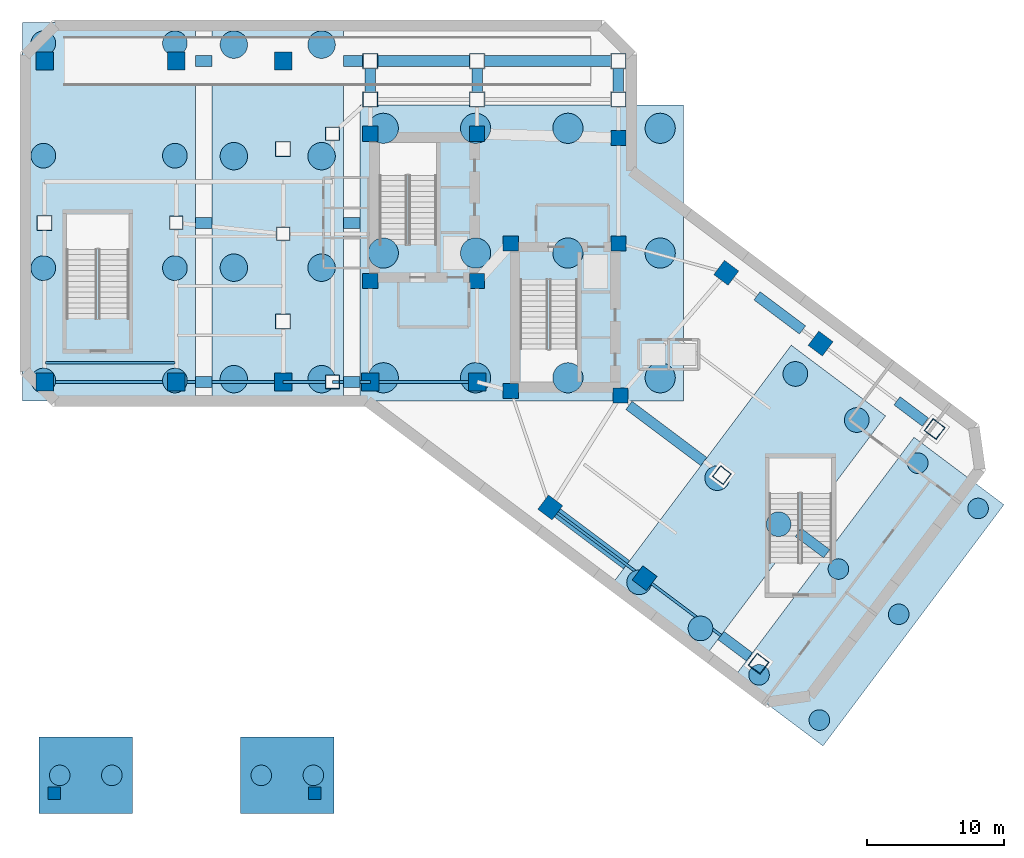
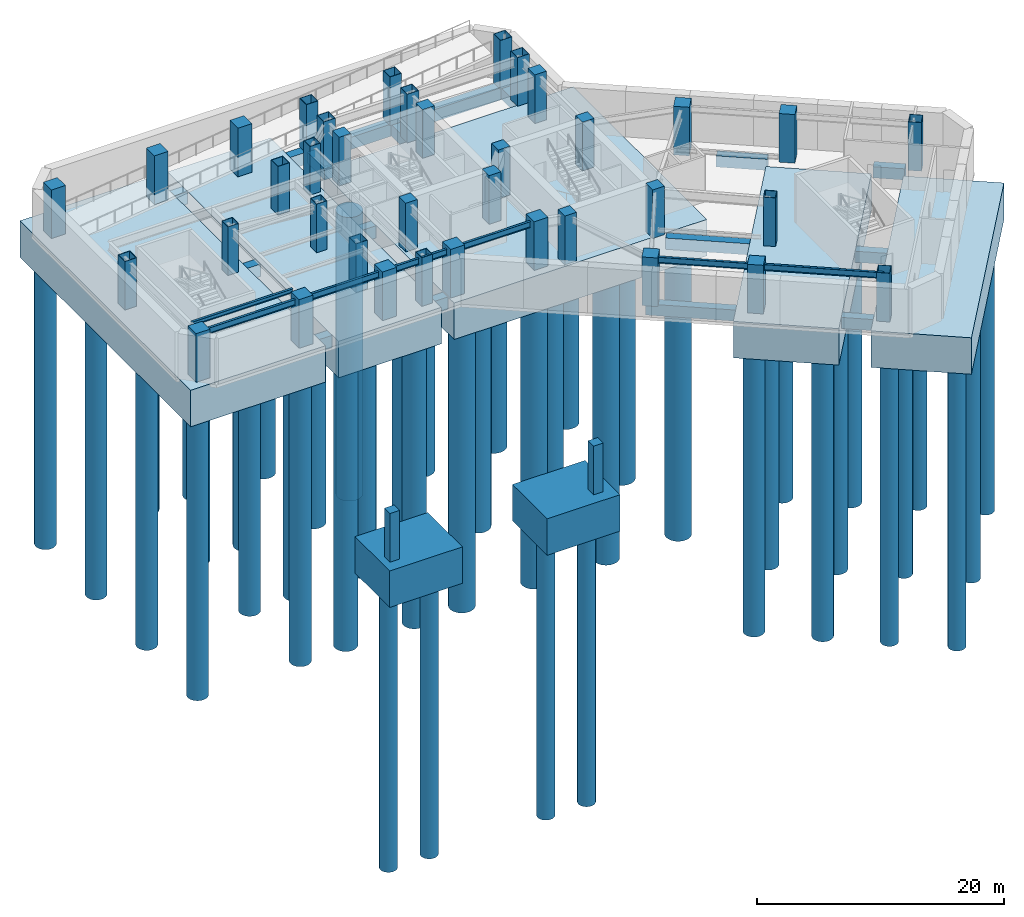
# One storey, part 1 of 9: 44 piles, 39 columns, 22 footings, 8 beams.
"""IFC4 building model written with IfcOpenShell, lengths in metres."""

from ifc_helpers import new_model, si_unit, direction, frame, origin, origin_2d, place, context, subcontext, project, spatial, rectangle, hollow_rectangle, circle, i_section, extrude, material, material_profile, profile_set, type_object, element, save


model = new_model("IFC4")

# Units and contexts
model_context = context("Model", 3, precision=1e-05, world=origin(), true_north=direction((0.0, 1.0)))
body_context = subcontext(model_context, "Body", "Model", "MODEL_VIEW")
ifc_project = project(units=[si_unit("LENGTHUNIT", "METRE"), si_unit("AREAUNIT", "SQUARE_METRE"), si_unit("VOLUMEUNIT", "CUBIC_METRE"), si_unit("PLANEANGLEUNIT", "RADIAN"), si_unit("MASSUNIT", "GRAM", prefix="KILO")], contexts=[model_context])

# Site, building, storey
site_placement = place(None, origin())
site = spatial("IfcSite", under=ifc_project, at=site_placement, CompositionType="ELEMENT")
building_placement = place(site_placement, origin())
building = spatial("IfcBuilding", under=site, at=building_placement, Name="Hatsunagi Terrace Concourse", CompositionType="ELEMENT")
storey_placement = place(building_placement, frame((0.0, 0.0, -9.60009765625)))
storey = spatial("IfcBuildingStorey", under=building, at=storey_placement, Name="B02", CompositionType="ELEMENT", Elevation=-9.60009765625)

# Piles
ifc_material_1 = material(Name="Concrete Fc48", Category="concrete")
ifc_material_profile_1 = material_profile(ifc_material_1, circle(Radius=0.75, at=origin_2d()), Name="PILE-1500")
ifc_profile_set_1 = profile_set([ifc_material_profile_1], Name="Concrete Fc48")
pile_type_1 = type_object("IfcPileType", Name="BoredPile_Fc48_1500", PredefinedType="BORED", material=ifc_profile_set_1)
for number, where, z_axis, x_axis, name in (
    (1, (53.909912109375, 3.830078125, -3.449951171875), (0.0, 0.0, -1.0), (1.0, 0.0, 0.0), "Bored Pile P-1500 #035"),
    (2, (59.699951171875, 11.550048828125, -3.449951171875), (0.0, 0.0, -1.0), (1.0, 0.0, 0.0), "Bored Pile P-1500 #036"),
    (3, (65.489990234375, 19.27001953125, -3.449951171875), (0.0, 0.0, -1.0), (1.0, 0.0, 0.0), "Bored Pile P-1500 #037"),
    (4, (58.31005859375, 0.530029296875, -3.449951171875), (0.0, 0.0, -1.0), (1.0, 0.0, 0.0), "Bored Pile P-1500 #038"),
    (5, (64.10009765625, 8.25, -3.449951171875), (0.0, 0.0, -1.0), (1.0, 0.0, 0.0), "Bored Pile P-1500 #039"),
    (6, (69.889892578125, 15.969970703125, -3.449951171875), (0.0, 0.0, -1.0), (1.0, 0.0, 0.0), "Bored Pile P-1500 #040"),
    (7, (2.89990234375, -3.5, -3.449951171875), (0.0, 0.0, -1.0), (1.0, 0.0, 0.0), "Bored Pile P-1500 #041"),
    (8, (6.699951171875, -3.5, -3.449951171875), (0.0, 0.0, -1.0), (1.0, 0.0, 0.0), "Bored Pile P-1500 #042"),
    (9, (17.60009765625, -3.5, -3.449951171875), (0.0, 0.0, -1.0), (1.0, 0.0, 0.0), "Bored Pile P-1500 #043"),
    (10, (21.39990234375, -3.5, -3.449951171875), (0.0, 0.0, -1.0), (1.0, 0.0, 0.0), "Bored Pile P-1500 #044"),
):
    element("IfcPile", number, at=place(storey_placement, frame(where, z_axis=z_axis, x_axis=x_axis)), inside=storey, type_object=pile_type_1, Name=name, PredefinedType="BORED", context=body_context, shape_type="SweptSolid", body=[
        extrude(circle(Radius=0.75, at=origin_2d()), origin(), (0.0, 0.0, 1.0), 28.0),
    ])
ifc_material_2 = material(Name="Concrete Fc48", Category="concrete")
ifc_material_profile_2 = material_profile(ifc_material_2, circle(Radius=0.89990234375, at=origin_2d()), Name="PILE-1800")
ifc_profile_set_2 = profile_set([ifc_material_profile_2], Name="Concrete Fc48")
pile_type_2 = type_object("IfcPileType", Name="BoredPile_Fc48_1800", PredefinedType="BORED", material=ifc_profile_set_2)
for number, where, z_axis, x_axis, name in (
    (11, (1.699951171875, 25.300048828125, -3.449951171875), (0.0, 0.0, -1.0), (1.0, 0.0, 0.0), "Bored Pile P-1800 #013"),
    (12, (1.699951171875, 33.5, -3.449951171875), (0.0, 0.0, -1.0), (1.0, 0.0, 0.0), "Bored Pile P-1800 #014"),
    (13, (1.699951171875, 41.699951171875, -3.449951171875), (0.0, 0.0, -1.0), (1.0, 0.0, 0.0), "Bored Pile P-1800 #015"),
    (14, (1.699951171875, 49.89990234375, -3.449951171875), (0.0, 0.0, -1.0), (1.0, 0.0, 0.0), "Bored Pile P-1800 #016"),
    (15, (11.300048828125, 25.300048828125, -3.449951171875), (0.0, 0.0, -1.0), (1.0, 0.0, 0.0), "Bored Pile P-1800 #017"),
    (16, (11.300048828125, 33.5, -3.449951171875), (0.0, 0.0, -1.0), (1.0, 0.0, 0.0), "Bored Pile P-1800 #018"),
    (17, (11.300048828125, 41.699951171875, -3.449951171875), (0.0, 0.0, -1.0), (1.0, 0.0, 0.0), "Bored Pile P-1800 #019"),
    (18, (11.300048828125, 49.89990234375, -3.449951171875), (0.0, 0.0, -1.0), (1.0, 0.0, 0.0), "Bored Pile P-1800 #020"),
    (19, (45.159912109375, 10.580078125, -3.449951171875), (0.0, 0.0, -1.0), (1.0, 0.0, 0.0), "Bored Pile P-1800 #029"),
    (20, (50.860107421875, 18.179931640625, -3.449951171875), (0.0, 0.0, -1.0), (1.0, 0.0, 0.0), "Bored Pile P-1800 #030"),
    (21, (56.56005859375, 25.780029296875, -3.449951171875), (0.0, 0.0, -1.0), (1.0, 0.0, 0.0), "Bored Pile P-1800 #031"),
    (22, (49.639892578125, 7.219970703125, -3.449951171875), (0.0, 0.0, -1.0), (1.0, 0.0, 0.0), "Bored Pile P-1800 #032"),
    (23, (55.340087890625, 14.820068359375, -3.449951171875), (0.0, 0.0, -1.0), (1.0, 0.0, 0.0), "Bored Pile P-1800 #033"),
    (24, (61.0400390625, 22.419921875, -3.449951171875), (0.0, 0.0, -1.0), (1.0, 0.0, 0.0), "Bored Pile P-1800 #034"),
):
    element("IfcPile", number, at=place(storey_placement, frame(where, z_axis=z_axis, x_axis=x_axis)), inside=storey, type_object=pile_type_2, Name=name, PredefinedType="BORED", context=body_context, shape_type="SweptSolid", body=[
        extrude(circle(Radius=0.89990234375, at=origin_2d()), origin(), (0.0, 0.0, 1.0), 28.0),
    ])
ifc_material_3 = material(Name="Concrete Fc48", Category="concrete")
ifc_material_profile_3 = material_profile(ifc_material_3, circle(Radius=1.0, at=origin_2d()), Name="PILE-2000")
ifc_profile_set_3 = profile_set([ifc_material_profile_3], Name="Concrete Fc48")
pile_type_3 = type_object("IfcPileType", Name="BoredPile_Fc48_2000", PredefinedType="BORED", material=ifc_profile_set_3)
for number, where, z_axis, x_axis, name in (
    (25, (15.60009765625, 25.39990234375, -3.449951171875), (0.0, 0.0, -1.0), (1.0, 0.0, 0.0), "Bored Pile P-2000 #021"),
    (26, (15.60009765625, 33.532958984375, -3.449951171875), (0.0, 0.0, -1.0), (1.0, 0.0, 0.0), "Bored Pile P-2000 #022"),
    (27, (15.60009765625, 41.6669921875, -3.449951171875), (0.0, 0.0, -1.0), (1.0, 0.0, 0.0), "Bored Pile P-2000 #023"),
    (28, (15.60009765625, 49.800048828125, -3.449951171875), (0.0, 0.0, -1.0), (1.0, 0.0, 0.0), "Bored Pile P-2000 #024"),
    (29, (22.0, 25.39990234375, -3.449951171875), (0.0, 0.0, -1.0), (1.0, 0.0, 0.0), "Bored Pile P-2000 #025"),
    (30, (22.0, 33.532958984375, -3.449951171875), (0.0, 0.0, -1.0), (1.0, 0.0, 0.0), "Bored Pile P-2000 #026"),
    (31, (22.0, 41.6669921875, -3.449951171875), (0.0, 0.0, -1.0), (1.0, 0.0, 0.0), "Bored Pile P-2000 #027"),
    (32, (22.0, 49.800048828125, -3.449951171875), (0.0, 0.0, -1.0), (1.0, 0.0, 0.0), "Bored Pile P-2000 #028"),
):
    element("IfcPile", number, at=place(storey_placement, frame(where, z_axis=z_axis, x_axis=x_axis)), inside=storey, type_object=pile_type_3, Name=name, PredefinedType="BORED", context=body_context, shape_type="SweptSolid", body=[
        extrude(circle(Radius=1.0, at=origin_2d()), origin(), (0.0, 0.0, 1.0), 28.0),
    ])
ifc_material_4 = material(Name="Concrete Fc48", Category="concrete")
ifc_material_profile_4 = material_profile(ifc_material_4, circle(Radius=1.10009765625, at=origin_2d()), Name="PILE-2200")
ifc_profile_set_4 = profile_set([ifc_material_profile_4], Name="Concrete Fc48")
pile_type_4 = type_object("IfcPileType", Name="BoredPile_Fc48_2200", PredefinedType="BORED", material=ifc_profile_set_4)
for number, where, z_axis, x_axis, name in (
    (33, (26.5, 25.5, -3.449951171875), (0.0, 0.0, -1.0), (1.0, 0.0, 0.0), "Bored Pile P-2200 #001"),
    (34, (26.5, 34.60009765625, -3.449951171875), (0.0, 0.0, -1.0), (1.0, 0.0, 0.0), "Bored Pile P-2200 #002"),
    (35, (26.5, 43.699951171875, -3.449951171875), (0.0, 0.0, -1.0), (1.0, 0.0, 0.0), "Bored Pile P-2200 #003"),
    (36, (33.23291015625, 25.5, -3.449951171875), (0.0, 0.0, -1.0), (1.0, 0.0, 0.0), "Bored Pile P-2200 #004"),
    (37, (33.23291015625, 34.60009765625, -3.449951171875), (0.0, 0.0, -1.0), (1.0, 0.0, 0.0), "Bored Pile P-2200 #005"),
    (38, (33.23291015625, 43.699951171875, -3.449951171875), (0.0, 0.0, -1.0), (1.0, 0.0, 0.0), "Bored Pile P-2200 #006"),
    (39, (39.967041015625, 25.5, -3.449951171875), (0.0, 0.0, -1.0), (1.0, 0.0, 0.0), "Bored Pile P-2200 #007"),
    (40, (39.967041015625, 34.60009765625, -3.449951171875), (0.0, 0.0, -1.0), (1.0, 0.0, 0.0), "Bored Pile P-2200 #008"),
    (41, (39.967041015625, 43.699951171875, -3.449951171875), (0.0, 0.0, -1.0), (1.0, 0.0, 0.0), "Bored Pile P-2200 #009"),
    (42, (46.699951171875, 25.5, -3.449951171875), (0.0, 0.0, -1.0), (1.0, 0.0, 0.0), "Bored Pile P-2200 #010"),
    (43, (46.699951171875, 34.60009765625, -3.449951171875), (0.0, 0.0, -1.0), (1.0, 0.0, 0.0), "Bored Pile P-2200 #011"),
    (44, (46.699951171875, 43.699951171875, -3.449951171875), (0.0, 0.0, -1.0), (1.0, 0.0, 0.0), "Bored Pile P-2200 #012"),
):
    element("IfcPile", number, at=place(storey_placement, frame(where, z_axis=z_axis, x_axis=x_axis)), inside=storey, type_object=pile_type_4, Name=name, PredefinedType="BORED", context=body_context, shape_type="SweptSolid", body=[
        extrude(circle(Radius=1.10009765625, at=origin_2d()), origin(), (0.0, 0.0, 1.0), 28.0),
    ])

# Footings
ifc_material_5 = material(Name="Concrete Fc48", Category="concrete")
ifc_material_profile_5 = material_profile(ifc_material_5, rectangle(XDim=0.75, YDim=1.10009765625, at=origin_2d()), Name="RC-750x1100")
ifc_profile_set_5 = profile_set([ifc_material_profile_5], Name="Concrete Fc48")
footing_type_1 = type_object("IfcFootingType", Name="GroundTieBeam_Fc48_750x1100", PredefinedType="FOOTING_BEAM", material=ifc_profile_set_5)
for number, where, z_axis, x_axis, name in (
    (45, (25.550048828125, 45.405029296875, -0.5498046875), (0.0, 1.0, 0.0), (-1.0, 0.0, 0.0), "Ground Tie Beam GB-N2"),
    (46, (33.35009765625, 45.405029296875, -0.5498046875), (0.0, 1.0, 0.0), (-1.0, 0.0, 0.0), "Ground Tie Beam GB-N3"),
    (47, (43.64990234375, 45.405029296875, -0.5498046875), (0.0, 1.0, 0.0), (-1.0, 0.0, 0.0), "Ground Tie Beam GB-N4"),
):
    element("IfcFooting", number, at=place(storey_placement, frame(where, z_axis=z_axis, x_axis=x_axis)), inside=storey, type_object=footing_type_1, Name=name, PredefinedType="FOOTING_BEAM", context=body_context, shape_type="SweptSolid", body=[
        extrude(rectangle(XDim=0.75, YDim=1.10009765625, at=origin_2d()), origin(), (0.0, 0.0, 1.0), 2.7900390625),
    ])
footing_1_placement = place(storey_placement, frame((38.360107421875, 16.280029296875, -0.5498046875), z_axis=(0.799984066425, -0.600021244179, 0.0), x_axis=(0.600021244179, 0.799984066425, 0.0)))
element("IfcFooting", 48, at=footing_1_placement, inside=storey, type_object=footing_type_1, Name="Ground Tie Beam GB-SE1-1", PredefinedType="FOOTING_BEAM", context=body_context, shape_type="SweptSolid", body=[
    extrude(rectangle(XDim=0.75, YDim=1.10009765625, at=origin_2d()), origin(), (0.0, 0.0, 1.0), 7.35498046875),
])
footing_2_placement = place(storey_placement, frame((51.132080078125, 6.700927734375, -0.5498046875), z_axis=(0.800011311435, -0.59998491779, 0.0), x_axis=(0.59998491779, 0.800011311435, 0.0)))
element("IfcFooting", 49, at=footing_2_placement, inside=storey, type_object=footing_type_1, Name="Ground Tie Beam GB-SE2-1", PredefinedType="FOOTING_BEAM", context=body_context, shape_type="SweptSolid", body=[
    extrude(rectangle(XDim=0.75, YDim=1.10009765625, at=origin_2d()), origin(), (0.0, 0.0, 1.0), 2.590087890625),
])
footing_3_placement = place(storey_placement, frame((44.419921875, 23.485107421875, -0.5498046875), z_axis=(0.79999571065, -0.600005719091, 0.0), x_axis=(0.600005719091, 0.79999571065, 0.0)))
element("IfcFooting", 50, at=footing_3_placement, inside=storey, type_object=footing_type_1, Name="Ground Tie Beam GB-SE1-2", PredefinedType="FOOTING_BEAM", context=body_context, shape_type="SweptSolid", body=[
    extrude(rectangle(XDim=0.75, YDim=1.10009765625, at=origin_2d()), origin(), (0.0, 0.0, 1.0), 6.830078125),
])
footing_4_placement = place(storey_placement, frame((56.77197265625, 14.220947265625, -0.5498046875), z_axis=(0.800011311435, -0.59998491779, 0.0), x_axis=(0.59998491779, 0.800011311435, 0.0)))
element("IfcFooting", 51, at=footing_4_placement, inside=storey, type_object=footing_type_1, Name="Ground Tie Beam GB-SE2-2", PredefinedType="FOOTING_BEAM", context=body_context, shape_type="SweptSolid", body=[
    extrude(rectangle(XDim=0.75, YDim=1.10009765625, at=origin_2d()), origin(), (0.0, 0.0, 1.0), 2.590087890625),
])
footing_5_placement = place(storey_placement, frame((53.760009765625, 31.47998046875, -0.5498046875), z_axis=(0.800007051054, -0.59999059848, 0.0), x_axis=(0.59999059848, 0.800007051054, 0.0)))
element("IfcFooting", 52, at=footing_5_placement, inside=storey, type_object=footing_type_1, Name="Ground Tie Beam GB-SE1-3", PredefinedType="FOOTING_BEAM", context=body_context, shape_type="SweptSolid", body=[
    extrude(rectangle(XDim=0.75, YDim=1.10009765625, at=origin_2d()), origin(), (0.0, 0.0, 1.0), 4.155029296875),
])
footing_6_placement = place(storey_placement, frame((63.971923828125, 23.821044921875, -0.5498046875), z_axis=(0.800011311435, -0.59998491779, 0.0), x_axis=(0.59998491779, 0.800011311435, 0.0)))
element("IfcFooting", 53, at=footing_6_placement, inside=storey, type_object=footing_type_1, Name="Ground Tie Beam GB-SE2-3", PredefinedType="FOOTING_BEAM", context=body_context, shape_type="SweptSolid", body=[
    extrude(rectangle(XDim=0.75, YDim=1.10009765625, at=origin_2d()), origin(), (0.0, 0.0, 1.0), 2.590087890625),
])
ifc_material_6 = material(Name="Concrete Fc48", Category="concrete")
ifc_material_profile_6 = material_profile(ifc_material_6, rectangle(XDim=0.800048828125, YDim=1.199951171875, at=origin_2d()), Name="RC-800x1200")
ifc_profile_set_6 = profile_set([ifc_material_profile_6], Name="Concrete Fc48")
footing_type_2 = type_object("IfcFootingType", Name="GroundTieBeam_Fc48_800x1200", PredefinedType="FOOTING_BEAM", material=ifc_profile_set_6)
for number, where, z_axis, x_axis, name in (
    (54, (12.804931640625, 25.199951171875, -0.599853515625), (1.0, 0.0, 0.0), (0.0, 1.0, 0.0), "Ground Tie Beam GB-W1"),
    (55, (12.804931640625, 36.800048828125, -0.599853515625), (1.0, 0.0, 0.0), (0.0, 1.0, 0.0), "Ground Tie Beam GB-W2"),
    (56, (12.804931640625, 48.60009765625, -0.599853515625), (1.0, 0.0, 0.0), (0.0, 1.0, 0.0), "Ground Tie Beam GB-W3"),
):
    element("IfcFooting", number, at=place(storey_placement, frame(where, z_axis=z_axis, x_axis=x_axis)), inside=storey, type_object=footing_type_2, Name=name, PredefinedType="FOOTING_BEAM", context=body_context, shape_type="SweptSolid", body=[
        extrude(rectangle(XDim=0.800048828125, YDim=1.199951171875, at=origin_2d()), origin(), (0.0, 0.0, 1.0), 1.190185546875),
    ])
for number, where, z_axis, x_axis, name in (
    (57, (23.60498046875, 25.199951171875, -0.599853515625), (1.0, 0.0, 0.0), (0.0, 1.0, 0.0), "Ground Tie Beam GB-W4"),
    (58, (23.60498046875, 36.800048828125, -0.599853515625), (1.0, 0.0, 0.0), (0.0, 1.0, 0.0), "Ground Tie Beam GB-W5"),
):
    element("IfcFooting", number, at=place(storey_placement, frame(where, z_axis=z_axis, x_axis=x_axis)), inside=storey, type_object=footing_type_2, Name=name, PredefinedType="FOOTING_BEAM", context=body_context, shape_type="SweptSolid", body=[
        extrude(rectangle(XDim=0.800048828125, YDim=1.199951171875, at=origin_2d()), origin(), (0.0, 0.0, 1.0), 1.18994140625),
    ])
footing_7_placement = place(storey_placement, frame((23.60498046875, 48.60009765625, -0.599853515625), z_axis=(1.0, 0.0, 0.0), x_axis=(0.0, 1.0, 0.0)))
element("IfcFooting", 59, at=footing_7_placement, inside=storey, type_object=footing_type_2, Name="Ground Tie Beam GB-N1", PredefinedType="FOOTING_BEAM", context=body_context, shape_type="SweptSolid", body=[
    extrude(rectangle(XDim=0.800048828125, YDim=1.199951171875, at=origin_2d()), origin(), (0.0, 0.0, 1.0), 20.425048828125),
])
ifc_material_7 = material(Name="Concrete Fc48", Category="concrete")
footing_type_3 = type_object("IfcFootingType", Name="PiledRaft_CoreAB_PC01", PredefinedType="PILE_CAP", material=ifc_material_7)
footing_8_placement = place(storey_placement, frame((36.60009765625, 34.60009765625, -3.599853515625), z_axis=(0.0, 0.0, 1.0), x_axis=(1.0, 0.0, 0.0)))
element("IfcFooting", 60, at=footing_8_placement, inside=storey, type_object=footing_type_3, Name="Central Split-Core Piled Raft Mat PC-01", PredefinedType="PILE_CAP", context=body_context, shape_type="SweptSolid", body=[
    extrude(rectangle(XDim=23.60009765625, YDim=21.60009765625, at=origin_2d()), origin(), (0.0, 0.0, 1.0), 3.60009765625),
])
ifc_material_8 = material(Name="Concrete Fc48", Category="concrete")
footing_type_4 = type_object("IfcFootingType", Name="PiledRaft_Plaza_PC06", PredefinedType="PILE_CAP", material=ifc_material_8)
for number, where, z_axis, x_axis, name in (
    (61, (4.800048828125, -3.5, -3.599853515625), (0.0, 0.0, 1.0), (1.0, 0.0, 0.0), "Forecourt Plaza SW Foundation Cap PC-06"),
    (62, (19.5, -3.5, -3.599853515625), (0.0, 0.0, 1.0), (1.0, 0.0, 0.0), "Forecourt Plaza SE Foundation Cap PC-06"),
):
    element("IfcFooting", number, at=place(storey_placement, frame(where, z_axis=z_axis, x_axis=x_axis)), inside=storey, type_object=footing_type_4, Name=name, PredefinedType="PILE_CAP", context=body_context, shape_type="SweptSolid", body=[
        extrude(rectangle(XDim=6.800048828125, YDim=5.60009765625, at=origin_2d()), origin(), (0.0, 0.0, 1.0), 3.60009765625),
    ])
ifc_material_9 = material(Name="Concrete Fc48", Category="concrete")
footing_type_5 = type_object("IfcFootingType", Name="PiledRaft_SEMid_PC04", PredefinedType="PILE_CAP", material=ifc_material_9)
footing_9_placement = place(storey_placement, frame((53.10009765625, 16.5, -3.599853515625), z_axis=(0.0, 0.0, 1.0), x_axis=(0.799999996291, -0.600000004945, 0.0)))
element("IfcFooting", 63, at=footing_9_placement, inside=storey, type_object=footing_type_5, Name="Southeast Wing Mid Piled Raft Cap PC-04", PredefinedType="PILE_CAP", context=body_context, shape_type="SweptSolid", body=[
    extrude(rectangle(XDim=8.60009765625, YDim=22.0, at=origin_2d()), origin(), (0.0, 0.0, 1.0), 3.60009765625),
])
ifc_material_10 = material(Name="Concrete Fc48", Category="concrete")
footing_type_6 = type_object("IfcFootingType", Name="PiledRaft_SEOuter_PC05", PredefinedType="PILE_CAP", material=ifc_material_10)
footing_10_placement = place(storey_placement, frame((61.89990234375, 9.89990234375, -3.599853515625), z_axis=(0.0, 0.0, 1.0), x_axis=(0.799999996291, -0.600000004945, 0.0)))
element("IfcFooting", 64, at=footing_10_placement, inside=storey, type_object=footing_type_6, Name="Southeast Wing Outer Piled Raft Cap PC-05", PredefinedType="PILE_CAP", context=body_context, shape_type="SweptSolid", body=[
    extrude(rectangle(XDim=8.199951171875, YDim=22.0, at=origin_2d()), origin(), (0.0, 0.0, 1.0), 3.60009765625),
])
ifc_material_11 = material(Name="Concrete Fc48", Category="concrete")
footing_type_7 = type_object("IfcFootingType", Name="PiledRaft_WestMid_PC03", PredefinedType="PILE_CAP", material=ifc_material_11)
footing_11_placement = place(storey_placement, frame((18.800048828125, 37.60009765625, -3.599853515625), z_axis=(0.0, 0.0, 1.0), x_axis=(1.0, 0.0, 0.0)))
element("IfcFooting", 65, at=footing_11_placement, inside=storey, type_object=footing_type_7, Name="West Wing Mid Piled Raft Cap PC-03", PredefinedType="PILE_CAP", context=body_context, shape_type="SweptSolid", body=[
    extrude(rectangle(XDim=9.60009765625, YDim=27.60009765625, at=origin_2d()), origin(), (0.0, 0.0, 1.0), 3.60009765625),
])
ifc_material_12 = material(Name="Concrete Fc48", Category="concrete")
footing_type_8 = type_object("IfcFootingType", Name="PiledRaft_WestOuter_PC02", PredefinedType="PILE_CAP", material=ifc_material_12)
footing_12_placement = place(storey_placement, frame((6.5, 37.60009765625, -3.599853515625), z_axis=(0.0, 0.0, 1.0), x_axis=(1.0, 0.0, 0.0)))
element("IfcFooting", 66, at=footing_12_placement, inside=storey, type_object=footing_type_8, Name="West Wing Outer Piled Raft Cap PC-02", PredefinedType="PILE_CAP", context=body_context, shape_type="SweptSolid", body=[
    extrude(rectangle(XDim=12.60009765625, YDim=27.60009765625, at=origin_2d()), origin(), (0.0, 0.0, 1.0), 3.60009765625),
])

# Columns
ifc_material_13 = material(Name="Concrete Fc60", Category="concrete")
ifc_material_profile_7 = material_profile(ifc_material_13, rectangle(XDim=1.10009765625, YDim=1.10009765625, at=origin_2d()), Name="RC-1100x1100")
ifc_profile_set_7 = profile_set([ifc_material_profile_7], Name="Concrete Fc60")
column_type_1 = type_object("IfcColumnType", Name="CoreColumn_RC_1100x1100", PredefinedType="COLUMN", material=ifc_profile_set_7)
for number, where, z_axis, x_axis, name in (
    (67, (25.550048828125, 32.550048828125, 0.0), (0.0, 0.0, 1.0), (1.0, 0.0, 0.0), "Column C-01 B02-CASW"),
    (68, (33.35009765625, 32.550048828125, 0.0), (0.0, 0.0, 1.0), (1.0, 0.0, 0.0), "Column C-01 B02-CASE"),
    (69, (25.550048828125, 43.300048828125, 0.0), (0.0, 0.0, 1.0), (1.0, 0.0, 0.0), "Column C-01 B02-CANW"),
    (70, (33.35009765625, 43.300048828125, 0.0), (0.0, 0.0, 1.0), (1.0, 0.0, 0.0), "Column C-01 B02-CANE"),
    (71, (35.800048828125, 24.550048828125, 0.0), (0.0, 0.0, 1.0), (1.0, 0.0, 0.0), "Column C-01 B02-CBSW"),
    (72, (43.800048828125, 24.199951171875, 0.0), (0.0, 0.0, 1.0), (1.0, 0.0, 0.0), "Column C-01 B02-CBSE"),
    (73, (35.800048828125, 35.300048828125, 0.0), (0.0, 0.0, 1.0), (1.0, 0.0, 0.0), "Column C-01 B02-CBNW"),
    (74, (43.64990234375, 35.300048828125, 0.0), (0.0, 0.0, 1.0), (1.0, 0.0, 0.0), "Column C-01 B02-CBNE"),
    (75, (43.64990234375, 43.0, 0.0), (0.0, 0.0, 1.0), (1.0, 0.0, 0.0), "Column C-01 B02-K3"),
):
    element("IfcColumn", number, at=place(storey_placement, frame(where, z_axis=z_axis, x_axis=x_axis)), inside=storey, type_object=column_type_1, Name=name, PredefinedType="COLUMN", context=body_context, shape_type="SweptSolid", body=[
        extrude(rectangle(XDim=1.10009765625, YDim=1.10009765625, at=origin_2d()), origin(), (0.0, 0.0, 1.0), 4.800048828125),
    ])
ifc_material_14 = material(Name="Concrete Fc48", Category="concrete")
ifc_material_profile_8 = material_profile(ifc_material_14, rectangle(XDim=0.89990234375, YDim=0.89990234375, at=origin_2d()), Name="RC-900x900")
ifc_profile_set_8 = profile_set([ifc_material_profile_8], Name="Concrete Fc48")
column_type_2 = type_object("IfcColumnType", Name="CoreColumn_RC_900x900", PredefinedType="COLUMN", material=ifc_profile_set_8)
for number, where, z_axis, x_axis, name in (
    (76, (2.5, -4.800048828125, 0.0), (0.0, 0.0, 1.0), (1.0, 0.0, 0.0), "Forecourt Plaza Support Column C-02 B02-1"),
    (77, (21.5, -4.800048828125, 0.0), (0.0, 0.0, 1.0), (1.0, 0.0, 0.0), "Forecourt Plaza Support Column C-02 B02-2"),
):
    element("IfcColumn", number, at=place(storey_placement, frame(where, z_axis=z_axis, x_axis=x_axis)), inside=storey, type_object=column_type_2, Name=name, PredefinedType="COLUMN", context=body_context, shape_type="SweptSolid", body=[
        extrude(rectangle(XDim=0.89990234375, YDim=0.89990234375, at=origin_2d()), origin(), (0.0, 0.0, 1.0), 4.800048828125),
    ])
ifc_material_15 = material(Name="Steel BCP325T", Category="steel")
ifc_material_profile_9 = material_profile(ifc_material_15, hollow_rectangle(XDim=1.10009765625, YDim=1.10009765625, WallThickness=0.0400390625, at=origin_2d()), Name="BCP-1100x1100x40")
ifc_profile_set_9 = profile_set([ifc_material_profile_9], Name="Steel BCP325T")
column_type_3 = type_object("IfcColumnType", Name="MegaColumn_BCP_1100x1100x40", PredefinedType="COLUMN", material=ifc_profile_set_9)
for number, where, z_axis, x_axis, name in (
    (78, (25.550048828125, 45.800048828125, 0.0), (0.0, 0.0, 1.0), (1.0, 0.0, 0.0), "Mega column MC-02 B02-CN1"),
    (79, (33.35009765625, 45.800048828125, 0.0), (0.0, 0.0, 1.0), (1.0, 0.0, 0.0), "Mega column MC-02 B02-CN2"),
    (80, (43.64990234375, 45.800048828125, 0.0), (0.0, 0.0, 1.0), (1.0, 0.0, 0.0), "Mega column MC-02 B02-CN3"),
    (81, (1.800048828125, 36.800048828125, 0.0), (0.0, 0.0, 1.0), (1.0, 0.0, 0.0), "Mega column MC-02 B02-WM0"),
    (82, (25.550048828125, 48.60009765625, 0.0), (0.0, 0.0, 1.0), (1.0, 0.0, 0.0), "Mega column MC-02 B02-WN4"),
    (83, (33.35009765625, 48.60009765625, 0.0), (0.0, 0.0, 1.0), (1.0, 0.0, 0.0), "Mega column MC-02 B02-WN5"),
    (84, (43.64990234375, 48.60009765625, 0.0), (0.0, 0.0, 1.0), (1.0, 0.0, 0.0), "Mega column MC-02 B02-WN6"),
    (85, (19.199951171875, 29.60009765625, 0.0), (0.0, 0.0, 1.0), (1.0, 0.0, 0.0), "Mega column MC-02 B02-WR1"),
    (86, (19.199951171875, 42.199951171875, 0.0), (0.0, 0.0, 1.0), (1.0, 0.0, 0.0), "Mega column MC-02 B02-WR2"),
    (87, (53.8798828125, 4.639892578125, 0.0), (0.0, 0.0, 1.0), (0.799999996291, -0.600000004945, 0.0), "Mega column MC-02 B02-SES3"),
    (88, (66.719970703125, 21.760009765625, 0.0), (0.0, 0.0, 1.0), (0.799999996291, -0.600000004945, 0.0), "Mega column MC-02 B02-SEN3"),
):
    element("IfcColumn", number, at=place(storey_placement, frame(where, z_axis=z_axis, x_axis=x_axis)), inside=storey, type_object=column_type_3, Name=name, PredefinedType="COLUMN", context=body_context, shape_type="SweptSolid", body=[
        extrude(hollow_rectangle(XDim=1.10009765625, YDim=1.10009765625, WallThickness=0.0400390625, at=origin_2d()), origin(), (0.0, 0.0, 1.0), 4.800048828125),
    ])
ifc_material_16 = material(Name="Concrete Fc60", Category="concrete")
ifc_material_profile_10 = material_profile(ifc_material_16, rectangle(XDim=1.300048828125, YDim=1.300048828125, at=origin_2d()), Name="RC-1300x1300")
ifc_profile_set_10 = profile_set([ifc_material_profile_10], Name="Concrete Fc60")
column_type_4 = type_object("IfcColumnType", Name="MegaColumn_RC_1300x1300", PredefinedType="COLUMN", material=ifc_profile_set_10)
for number, where, z_axis, x_axis, name in (
    (89, (25.550048828125, 25.199951171875, 0.0), (0.0, 0.0, 1.0), (1.0, 0.0, 0.0), "Mega column MC-01 B02-K1"),
    (90, (33.35009765625, 25.199951171875, 0.0), (0.0, 0.0, 1.0), (1.0, 0.0, 0.0), "Mega column MC-01 B02-K2"),
    (91, (1.800048828125, 25.199951171875, 0.0), (0.0, 0.0, 1.0), (1.0, 0.0, 0.0), "Mega column MC-01 B02-WS1"),
    (92, (1.800048828125, 48.60009765625, 0.0), (0.0, 0.0, 1.0), (1.0, 0.0, 0.0), "Mega column MC-01 B02-WN1"),
    (93, (11.39990234375, 25.199951171875, 0.0), (0.0, 0.0, 1.0), (1.0, 0.0, 0.0), "Mega column MC-01 B02-WS2"),
    (94, (11.39990234375, 48.60009765625, 0.0), (0.0, 0.0, 1.0), (1.0, 0.0, 0.0), "Mega column MC-01 B02-WN2"),
    (95, (19.199951171875, 48.60009765625, 0.0), (0.0, 0.0, 1.0), (1.0, 0.0, 0.0), "Mega column MC-01 B02-WN3"),
    (96, (19.199951171875, 25.199951171875, 0.0), (0.0, 0.0, 1.0), (1.0, 0.0, 0.0), "Mega column MC-01 B02-WS3"),
    (97, (38.679931640625, 16.0400390625, 0.0), (0.0, 0.0, 1.0), (0.799999996291, -0.600000004945, 0.0), "Mega column MC-01 B02-SES1"),
    (98, (51.52001953125, 33.159912109375, 0.0), (0.0, 0.0, 1.0), (0.799999996291, -0.600000004945, 0.0), "Mega column MC-01 B02-SEN1"),
    (99, (45.56005859375, 10.8798828125, 0.0), (0.0, 0.0, 1.0), (0.799999996291, -0.600000004945, 0.0), "Mega column MC-01 B02-SES2"),
    (100, (58.39990234375, 28.0, 0.0), (0.0, 0.0, 1.0), (0.799999996291, -0.600000004945, 0.0), "Mega column MC-01 B02-SEN2"),
):
    element("IfcColumn", number, at=place(storey_placement, frame(where, z_axis=z_axis, x_axis=x_axis)), inside=storey, type_object=column_type_4, Name=name, PredefinedType="COLUMN", context=body_context, shape_type="SweptSolid", body=[
        extrude(rectangle(XDim=1.300048828125, YDim=1.300048828125, at=origin_2d()), origin(), (0.0, 0.0, 1.0), 4.800048828125),
    ])
ifc_material_17 = material(Name="Steel BCP325T", Category="steel")
ifc_material_profile_11 = material_profile(ifc_material_17, hollow_rectangle(XDim=1.0, YDim=1.0, WallThickness=0.0380859375, at=origin_2d()), Name="BCP-1000x1000x38")
ifc_profile_set_11 = profile_set([ifc_material_profile_11], Name="Steel BCP325T")
column_type_5 = type_object("IfcColumnType", Name="TowerBoxColumn_1000x1000x38", PredefinedType="COLUMN", material=ifc_profile_set_11)
for number, where, z_axis, x_axis, name in (
    (101, (22.800048828125, 25.199951171875, 0.0), (0.0, 0.0, 1.0), (1.0, 0.0, 0.0), "Column C-03 B02-CW1"),
    (102, (22.800048828125, 43.300048828125, 0.0), (0.0, 0.0, 1.0), (1.0, 0.0, 0.0), "Column C-03 B02-CW2"),
    (103, (11.39990234375, 36.800048828125, 0.0), (0.0, 0.0, 1.0), (1.0, 0.0, 0.0), "Column C-03 B02-WT1"),
    (104, (19.199951171875, 36.0, 0.0), (0.0, 0.0, 1.0), (1.0, 0.0, 0.0), "Column C-03 B02-WT2"),
    (105, (51.199951171875, 18.39990234375, 0.0), (0.0, 0.0, 1.0), (0.799999996291, -0.600000004945, 0.0), "Column C-03 B02-SEM2"),
):
    element("IfcColumn", number, at=place(storey_placement, frame(where, z_axis=z_axis, x_axis=x_axis)), inside=storey, type_object=column_type_5, Name=name, PredefinedType="COLUMN", context=body_context, shape_type="SweptSolid", body=[
        extrude(hollow_rectangle(XDim=1.0, YDim=1.0, WallThickness=0.0380859375, at=origin_2d()), origin(), (0.0, 0.0, 1.0), 4.800048828125),
    ])

# Beams
ifc_material_18 = material(Name="Steel SN490B", Category="steel")
ifc_material_profile_12 = material_profile(ifc_material_18, i_section(OverallWidth=0.199951171875, OverallDepth=0.60009765625, WebThickness=0.010986328125, FlangeThickness=0.01708984375, FilletRadius=0.01806640625, at=origin_2d()), Name="H-600x200x11x17")
ifc_profile_set_12 = profile_set([ifc_material_profile_12], Name="Steel SN490B")
beam_type_1 = type_object("IfcBeamType", Name="PerimeterSpandrel_H_600x200", PredefinedType="SPANDREL", material=ifc_profile_set_12)
beam_1_placement = place(storey_placement, frame((1.800048828125, 25.199951171875, 4.2001953125), z_axis=(1.0, 0.0, 0.0), x_axis=(0.0, 1.0, 0.0)))
element("IfcBeam", 106, at=beam_1_placement, inside=storey, type_object=beam_type_1, Name="Beam SP-01 BM-B02-WS-1", PredefinedType="SPANDREL", context=body_context, shape_type="SweptSolid", body=[
    extrude(i_section(OverallWidth=0.199951171875, OverallDepth=0.60009765625, WebThickness=0.010986328125, FlangeThickness=0.01708984375, FilletRadius=0.01806640625, at=origin_2d()), origin(), (0.0, 0.0, 1.0), 9.599853515625),
])
beam_2_placement = place(storey_placement, frame((11.39990234375, 25.199951171875, 4.2001953125), z_axis=(1.0, 0.0, 0.0), x_axis=(0.0, 1.0, 0.0)))
element("IfcBeam", 107, at=beam_2_placement, inside=storey, type_object=beam_type_1, Name="Beam SP-01 BM-B02-WS-11", PredefinedType="SPANDREL", context=body_context, shape_type="SweptSolid", body=[
    extrude(i_section(OverallWidth=0.199951171875, OverallDepth=0.60009765625, WebThickness=0.010986328125, FlangeThickness=0.01708984375, FilletRadius=0.01806640625, at=origin_2d()), origin(), (0.0, 0.0, 1.0), 7.800048828125),
])
beam_3_placement = place(storey_placement, frame((19.199951171875, 25.199951171875, 4.2001953125), z_axis=(1.0, 0.0, 0.0), x_axis=(0.0, 1.0, 0.0)))
element("IfcBeam", 108, at=beam_3_placement, inside=storey, type_object=beam_type_1, Name="Beam SP-01 BM-B02-WS-19", PredefinedType="SPANDREL", context=body_context, shape_type="SweptSolid", body=[
    extrude(i_section(OverallWidth=0.199951171875, OverallDepth=0.60009765625, WebThickness=0.010986328125, FlangeThickness=0.01708984375, FilletRadius=0.01806640625, at=origin_2d()), origin(), (0.0, 0.0, 1.0), 3.60009765625),
])
beam_4_placement = place(storey_placement, frame((22.800048828125, 25.199951171875, 4.2001953125), z_axis=(1.0, 0.0, 0.0), x_axis=(0.0, 1.0, 0.0)))
element("IfcBeam", 109, at=beam_4_placement, inside=storey, type_object=beam_type_1, Name="Beam SP-01 BM-B02-WS-22", PredefinedType="SPANDREL", context=body_context, shape_type="SweptSolid", body=[
    extrude(i_section(OverallWidth=0.199951171875, OverallDepth=0.60009765625, WebThickness=0.010986328125, FlangeThickness=0.01708984375, FilletRadius=0.01806640625, at=origin_2d()), origin(), (0.0, 0.0, 1.0), 2.75),
])
beam_5_placement = place(storey_placement, frame((25.550048828125, 25.199951171875, 4.2001953125), z_axis=(1.0, 0.0, 0.0), x_axis=(0.0, 1.0, 0.0)))
element("IfcBeam", 110, at=beam_5_placement, inside=storey, type_object=beam_type_1, Name="Beam SP-01 BM-B02-WS-25", PredefinedType="SPANDREL", context=body_context, shape_type="SweptSolid", body=[
    extrude(i_section(OverallWidth=0.199951171875, OverallDepth=0.60009765625, WebThickness=0.010986328125, FlangeThickness=0.01708984375, FilletRadius=0.01806640625, at=origin_2d()), origin(), (0.0, 0.0, 1.0), 7.800048828125),
])
beam_6_placement = place(storey_placement, frame((38.679931640625, 16.0400390625, 4.2001953125), z_axis=(0.799996593451, -0.600004542038, 0.0), x_axis=(0.600004542038, 0.799996593451, 0.0)))
element("IfcBeam", 111, at=beam_6_placement, inside=storey, type_object=beam_type_1, Name="Beam SP-01 BM-B02-SE-SW2", PredefinedType="SPANDREL", context=body_context, shape_type="SweptSolid", body=[
    extrude(i_section(OverallWidth=0.199951171875, OverallDepth=0.60009765625, WebThickness=0.010986328125, FlangeThickness=0.01708984375, FilletRadius=0.01806640625, at=origin_2d()), origin(), (0.0, 0.0, 1.0), 8.60009765625),
])
beam_7_placement = place(storey_placement, frame((45.56005859375, 10.8798828125, 4.2001953125), z_axis=(0.799994365871, -0.600007512099, 0.0), x_axis=(0.600007512099, 0.799994365871, 0.0)))
element("IfcBeam", 112, at=beam_7_placement, inside=storey, type_object=beam_type_1, Name="Beam SP-01 BM-B02-SE-SW3", PredefinedType="SPANDREL", context=body_context, shape_type="SweptSolid", body=[
    extrude(i_section(OverallWidth=0.199951171875, OverallDepth=0.60009765625, WebThickness=0.010986328125, FlangeThickness=0.01708984375, FilletRadius=0.01806640625, at=origin_2d()), origin(), (0.0, 0.0, 1.0), 10.39990234375),
])
ifc_material_19 = material(Name="Steel SN490B", Category="steel")
ifc_material_profile_13 = material_profile(ifc_material_19, i_section(OverallWidth=0.199951171875, OverallDepth=0.39990234375, WebThickness=0.008056640625, FlangeThickness=0.012939453125, FilletRadius=0.012939453125, at=origin_2d()), Name="H-400x200x8x13")
ifc_profile_set_13 = profile_set([ifc_material_profile_13], Name="Steel SN490B")
beam_type_2 = type_object("IfcBeamType", Name="PodiumJoist_H_400x200", PredefinedType="JOIST", material=ifc_profile_set_13)
beam_8_placement = place(storey_placement, frame((1.864990234375, 26.60009765625, 4.300048828125), z_axis=(1.0, 0.0, 0.0), x_axis=(0.0, 1.0, 0.0)))
element("IfcBeam", 113, at=beam_8_placement, inside=storey, type_object=beam_type_2, Name="Beam J-01 J-B02-W-1-266", PredefinedType="JOIST", context=body_context, shape_type="SweptSolid", body=[
    extrude(i_section(OverallWidth=0.199951171875, OverallDepth=0.39990234375, WebThickness=0.008056640625, FlangeThickness=0.012939453125, FilletRadius=0.012939453125, at=origin_2d()), origin(), (0.0, 0.0, 1.0), 9.449951171875),
])

save(model, "model.ifc")
